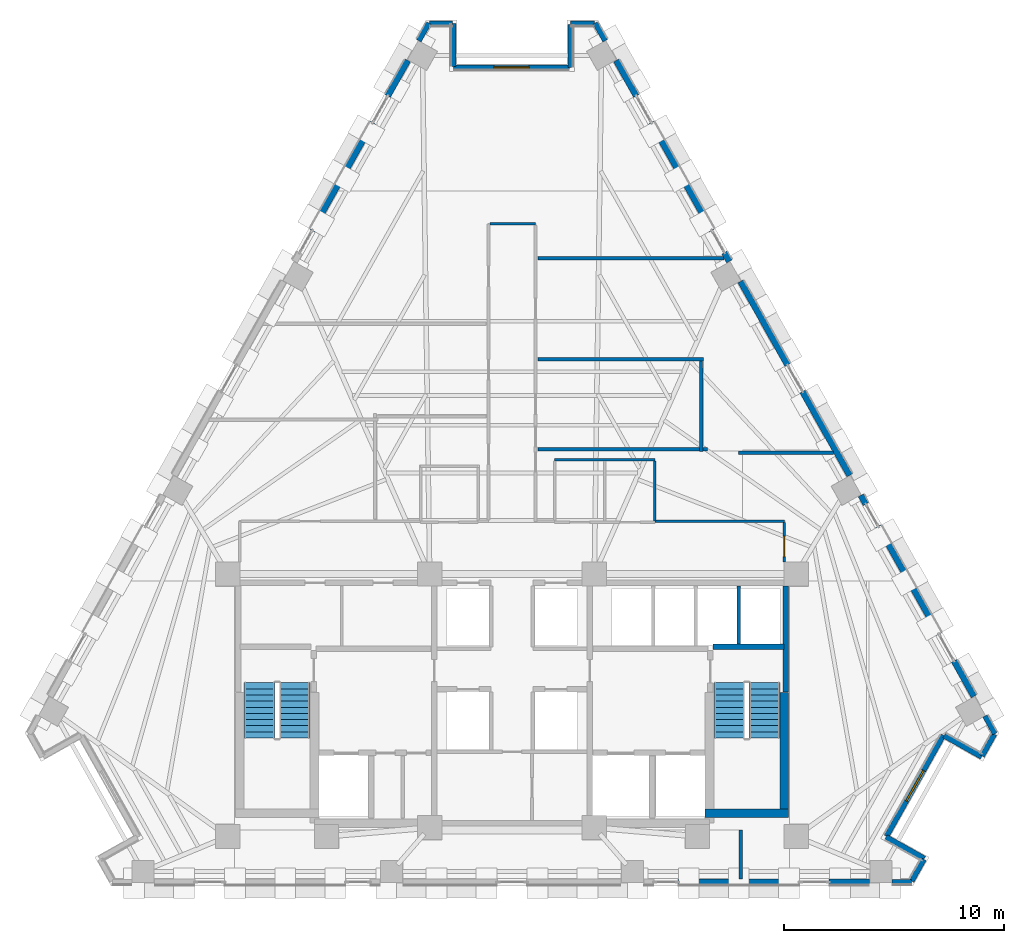
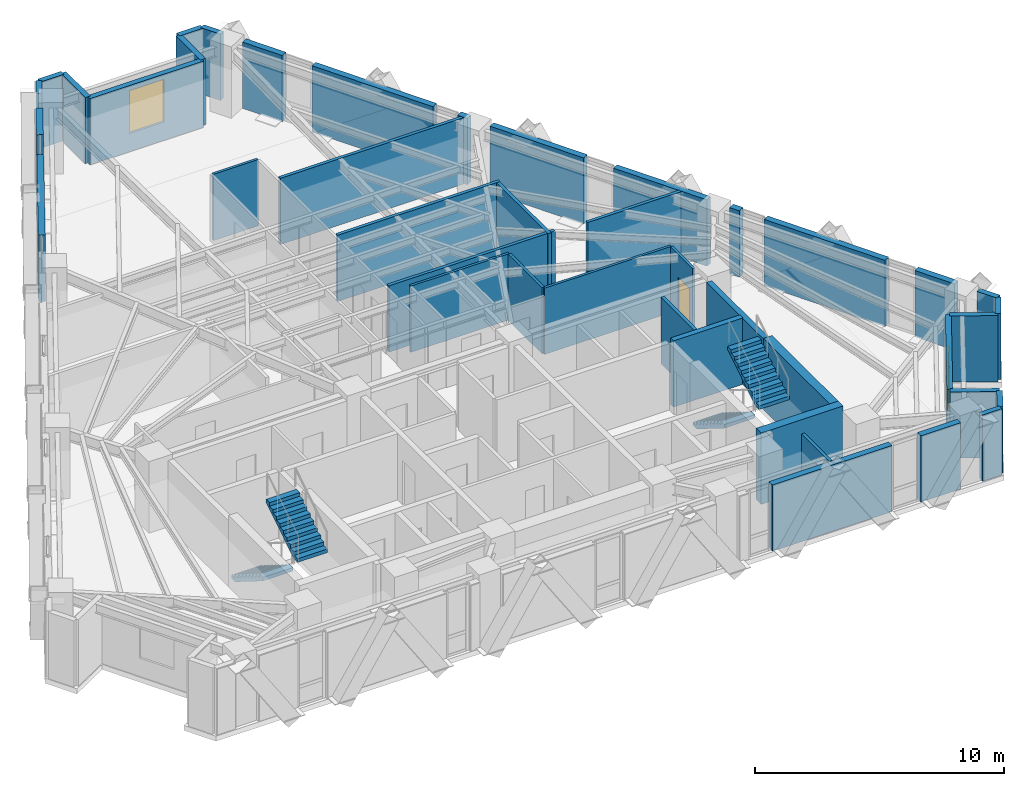
# One storey, part 9 of 13: 43 walls, 4 stair flights, 2 windows, 1 door, 3 openings, 2 elements without a shape of their own.
"""IFC4 building model written with IfcOpenShell, lengths in metres."""

from ifc_helpers import new_model, si_unit, direction, frame, frame_2d, origin, place, context, subcontext, project, spatial, polyline, rectangle, outline, extrude, material, layer, layer_set, type_object, element, fill, aggregate, save


model = new_model("IFC4")

# Units and contexts
model_context = context("Model", 3, precision=1e-05, world=origin(), true_north=direction((0.0, 1.0)))
body_context = subcontext(model_context, "Body", "Model", "MODEL_VIEW")
ifc_project = project(units=[si_unit("LENGTHUNIT", "METRE"), si_unit("AREAUNIT", "SQUARE_METRE"), si_unit("VOLUMEUNIT", "CUBIC_METRE"), si_unit("PLANEANGLEUNIT", "RADIAN"), si_unit("MASSUNIT", "GRAM", prefix="KILO")], contexts=[model_context])

# Site, building, storey
site_placement = place(None, origin())
site = spatial("IfcSite", under=ifc_project, at=site_placement, CompositionType="ELEMENT")
building_placement = place(site_placement, origin())
building = spatial("IfcBuilding", under=site, at=building_placement, Name="Quenlor Broadcast Tower", CompositionType="ELEMENT")
storey_placement = place(building_placement, frame((0.0, 0.0, 137.0)))
storey = spatial("IfcBuildingStorey", under=building, at=storey_placement, Name="L37", CompositionType="ELEMENT", Elevation=137.0)

# Walls
ifc_material_1 = material(Name="Acoustic Double Stud Gypsum Partition", Category="other")
ifc_layer_1 = layer(ifc_material_1, 0.14990234375)
ifc_layer_set_1 = layer_set([ifc_layer_1], Name="Broadcast Studio Acoustic Partition 150")
wall_type_1 = type_object("IfcWallType", Name="Broadcast Studio Acoustic Partition 150", PredefinedType="PARTITIONING", material=ifc_layer_set_1)
wall_1_placement = place(storey_placement, frame((9.66015625, 9.580078125, 0.0), z_axis=(0.0, 0.0, 1.0), x_axis=(-1.0, 0.0, 0.0)))
element("IfcWall", 1, at=wall_1_placement, inside=storey, type_object=wall_type_1, Name="L37 Interior Wall PW-DV-01", PredefinedType="PARTITIONING", context=body_context, shape_type="SweptSolid", body=[
    extrude(rectangle(XDim=8.480224609375, YDim=0.14990234375, at=frame_2d((4.240234375, 0.0))), origin(), (0.0, 0.0, 1.0), 3.25),
])
wall_2_placement = place(storey_placement, frame((8.713623046875, 4.97998046875, 0.0), z_axis=(0.0, 0.0, 1.0), x_axis=(-1.0, 0.0, 0.0)))
element("IfcWall", 2, at=wall_2_placement, inside=storey, type_object=wall_type_1, Name="L37 Interior Wall PW-DV-03", PredefinedType="PARTITIONING", context=body_context, shape_type="SweptSolid", body=[
    extrude(rectangle(XDim=7.53369140625, YDim=0.14990234375, at=frame_2d((3.766845703125, 0.0))), origin(), (0.0, 0.0, 1.0), 3.25),
])
wall_3_placement = place(storey_placement, frame((8.624755859375, 0.780029296875, 0.0), z_axis=(0.0, 0.0, 1.0), x_axis=(-0.002664604467, 0.999996449935, 0.0)))
element("IfcWall", 3, at=wall_3_placement, inside=storey, type_object=wall_type_1, Name="L37 Interior Wall PW-DV-04", PredefinedType="PARTITIONING", context=body_context, shape_type="SweptSolid", body=[
    extrude(rectangle(XDim=4.123046875, YDim=0.14990234375, at=frame_2d((2.0615234375, 0.0))), origin(), (0.0, 0.0, 1.0), 3.25),
])
wall_4_placement = place(storey_placement, frame((14.63818359375, 0.72998046875, 0.0), z_axis=(0.0, 0.0, 1.0), x_axis=(-1.0, 0.0, 0.0)))
element("IfcWall", 4, at=wall_4_placement, inside=storey, type_object=wall_type_1, Name="L37 Interior Wall PW-DV-05", PredefinedType="PARTITIONING", context=body_context, shape_type="SweptSolid", body=[
    extrude(rectangle(XDim=4.31298828125, YDim=0.14990234375, at=frame_2d((2.156494140625, 0.0))), origin(), (0.0, 0.0, 1.0), 3.25),
])
wall_5_placement = place(storey_placement, frame((8.89990234375, 0.8798828125, 0.0), z_axis=(0.0, 0.0, 1.0), x_axis=(-1.0, 0.0, 0.0)))
element("IfcWall", 5, at=wall_5_placement, inside=storey, type_object=wall_type_1, Name="L37 Interior Wall PW-DV-08", PredefinedType="PARTITIONING", context=body_context, shape_type="SweptSolid", body=[
    extrude(rectangle(XDim=0.198486328125, YDim=0.14990234375, at=frame_2d((0.09912109375, 0.0))), origin(), (0.0, 0.0, 1.0), 3.25),
])
wall_6_placement = place(storey_placement, frame((8.547607421875, 0.8798828125, 0.0), z_axis=(0.0, 0.0, 1.0), x_axis=(-1.0, 0.0, 0.0)))
element("IfcWall", 6, at=wall_6_placement, inside=storey, type_object=wall_type_1, Name="L37 Interior Wall PW-DV-08S2", PredefinedType="PARTITIONING", context=body_context, shape_type="SweptSolid", body=[
    extrude(rectangle(XDim=7.36767578125, YDim=0.14990234375, at=frame_2d((3.683837890625, 0.0))), origin(), (0.0, 0.0, 1.0), 3.25),
])
wall_7_placement = place(storey_placement, frame((10.42529296875, -18.68310546875, 0.0), z_axis=(0.0, 0.0, 1.0), x_axis=(0.0, 1.0, 0.0)))
element("IfcWall", 7, at=wall_7_placement, inside=storey, type_object=wall_type_1, Name="L37 Interior Wall PW-DV-10", PredefinedType="PARTITIONING", context=body_context, shape_type="SweptSolid", body=[
    extrude(rectangle(XDim=2.233154296875, YDim=0.14990234375, at=frame_2d((1.11669921875, 0.0))), origin(), (0.0, 0.0, 1.0), 3.25),
])
ifc_material_2 = material(Name="Concrete C50/60", Category="concrete")
ifc_layer_2 = layer(ifc_material_2, 0.39990234375)
ifc_layer_set_2 = layer_set([ifc_layer_2], Name="Core Concrete C50/60 Shear Wall 400")
wall_type_2 = type_object("IfcWallType", Name="Core Concrete C50/60 Shear Wall 400", PredefinedType="SHEAR", material=ifc_layer_set_2)
wall_8_placement = place(storey_placement, frame((8.800048828125, -15.699951171875, 0.0), z_axis=(0.0, 0.0, 1.0), x_axis=(1.0, 0.0, 0.0)))
element("IfcWall", 8, at=wall_8_placement, inside=storey, type_object=wall_type_2, Name="L37 Core Shear Wall WS-E2", PredefinedType="SHEAR", context=body_context, shape_type="SweptSolid", body=[
    extrude(rectangle(XDim=3.800048828125, YDim=0.39990234375, at=frame_2d((1.89990234375, 0.0))), origin(), (0.0, 0.0, 1.0), 3.5),
])
wall_9_placement = place(storey_placement, frame((12.39990234375, -15.699951171875, 0.0), z_axis=(0.0, 0.0, 1.0), x_axis=(0.0, 1.0, 0.0)))
element("IfcWall", 9, at=wall_9_placement, inside=storey, type_object=wall_type_2, Name="L37 Core Shear Wall WF-E", PredefinedType="SHEAR", context=body_context, shape_type="SweptSolid", body=[
    extrude(rectangle(XDim=5.5, YDim=0.39990234375, at=frame_2d((2.75, 0.0))), origin(), (0.0, 0.0, 1.0), 3.5),
])
ifc_material_3 = material(Name="Concrete C40/50", Category="concrete")
ifc_layer_3 = layer(ifc_material_3, 0.25)
ifc_layer_set_3 = layer_set([ifc_layer_3], Name="Fire Rated Concrete C40/50 Core Wall 250")
wall_type_3 = type_object("IfcWallType", Name="Fire Rated Concrete C40/50 Core Wall 250", PredefinedType="PARTITIONING", material=ifc_layer_set_3)
wall_10_placement = place(storey_placement, frame((9.159912109375, -8.1201171875, 0.0), z_axis=(0.0, 0.0, 1.0), x_axis=(1.0, 0.0, 0.0)))
element("IfcWall", 10, at=wall_10_placement, inside=storey, type_object=wall_type_3, Name="L37 Interior Wall CW-ST2-N", PredefinedType="PARTITIONING", context=body_context, shape_type="SweptSolid", body=[
    extrude(rectangle(XDim=3.219970703125, YDim=0.25, at=frame_2d((1.60986328125, 0.0))), origin(), (0.0, 0.0, 1.0), 3.25),
])
wall_11_placement = place(storey_placement, frame((12.47998046875, -10.179931640625, 0.0), z_axis=(0.0, 0.0, 1.0), x_axis=(0.0, 1.0, 0.0)))
element("IfcWall", 11, at=wall_11_placement, inside=storey, type_object=wall_type_3, Name="L37 Interior Wall CW-ST2-E2", PredefinedType="PARTITIONING", context=body_context, shape_type="SweptSolid", body=[
    extrude(rectangle(XDim=4.827880859375, YDim=0.25, at=frame_2d((2.4140625, 0.0))), origin(), (0.0, 0.0, 1.0), 3.25),
])
ifc_material_4 = material(Name="Gypsum Fireboard Partition", Category="other")
ifc_layer_4 = layer(ifc_material_4, 0.159912109375)
ifc_layer_set_4 = layer_set([ifc_layer_4], Name="Fire Rated Shaft and Corridor Partition 160")
wall_type_4 = type_object("IfcWallType", Name="Fire Rated Shaft and Corridor Partition 160", PredefinedType="PARTITIONING", material=ifc_layer_set_4)
wall_12_placement = place(storey_placement, frame((10.324951171875, -7.992919921875, 0.0), z_axis=(0.0, 0.0, 1.0), x_axis=(0.0, 1.0, 0.0)))
element("IfcWall", 12, at=wall_12_placement, inside=storey, type_object=wall_type_4, Name="L37 Interior Wall CW-PLH-D3", PredefinedType="PARTITIONING", context=body_context, shape_type="SweptSolid", body=[
    extrude(rectangle(XDim=2.65283203125, YDim=0.159912109375, at=frame_2d((1.326416015625, 0.0))), origin(), (0.0, 0.0, 1.0), 3.25),
])
ifc_material_5 = material(Name="Gypsum Plasterboard Partition", Category="other")
ifc_layer_5 = layer(ifc_material_5, 0.1201171875)
ifc_layer_set_5 = layer_set([ifc_layer_5], Name="Standard Office Partition 120")
wall_type_5 = type_object("IfcWallType", Name="Standard Office Partition 120", PredefinedType="PARTITIONING", material=ifc_layer_set_5)
wall_13_placement = place(storey_placement, frame((1.93994140625, 0.409912109375, 0.0), z_axis=(0.0, 0.0, 1.0), x_axis=(1.0, 0.0, 0.0)))
element("IfcWall", 13, at=wall_13_placement, inside=storey, type_object=wall_type_5, Name="L37 Interior Wall PW-WC-N", PredefinedType="PARTITIONING", context=body_context, shape_type="SweptSolid", body=[
    extrude(rectangle(XDim=4.570068359375, YDim=0.1201171875, at=frame_2d((2.28515625, 0.0))), origin(), (0.0, 0.0, 1.0), 3.25),
])
wall_14_placement = place(storey_placement, frame((6.510009765625, -2.3779296875, 0.0), z_axis=(0.0, 0.0, 1.0), x_axis=(0.0, 1.0, 0.0)))
element("IfcWall", 14, at=wall_14_placement, inside=storey, type_object=wall_type_5, Name="L37 Interior Wall PW-WC-E", PredefinedType="PARTITIONING", context=body_context, shape_type="SweptSolid", body=[
    extrude(rectangle(XDim=2.725830078125, YDim=0.1201171875, at=frame_2d((1.36279296875, 0.0))), origin(), (0.0, 0.0, 1.0), 3.25),
])
wall_15_placement = place(storey_placement, frame((-1.008056640625, 11.14990234375, 0.0), z_axis=(0.0, 0.0, 1.0), x_axis=(1.0, 0.0, 0.0)))
element("IfcWall", 15, at=wall_15_placement, inside=storey, type_object=wall_type_5, Name="L37 Interior Wall PW-CR-04", PredefinedType="PARTITIONING", context=body_context, shape_type="SweptSolid", body=[
    extrude(rectangle(XDim=2.078125, YDim=0.1201171875, at=frame_2d((1.0390625, 0.0))), origin(), (0.0, 0.0, 1.0), 3.25),
])
wall_16_placement = place(storey_placement, frame((6.511962890625, -2.39990234375, 0.0), z_axis=(0.0, 0.0, 1.0), x_axis=(1.0, 0.0, 0.0)))
element("IfcWall", 16, at=wall_16_placement, inside=storey, type_object=wall_type_5, Name="L37 Interior Wall PW-CR-06S2", PredefinedType="PARTITIONING", context=body_context, shape_type="SweptSolid", body=[
    extrude(rectangle(XDim=5.89794921875, YDim=0.1201171875, at=frame_2d((2.948974609375, 0.0))), origin(), (0.0, 0.0, 1.0), 3.25),
])

# Wall, opening, door
wall_17_placement = place(storey_placement, frame((12.409912109375, -2.4619140625, 0.0), z_axis=(0.0, 0.0, 1.0), x_axis=(0.0, -1.0, 0.0)))
wall_17 = element("IfcWall", 17, at=wall_17_placement, inside=storey, type_object=wall_type_5, Name="L37 Interior Wall PW-CR-07", PredefinedType="PARTITIONING", context=body_context, shape_type="SweptSolid", body=[
    extrude(rectangle(XDim=1.7861328125, YDim=0.1201171875, at=frame_2d((0.89306640625, 0.0))), origin(), (0.0, 0.0, 1.0), 3.25),
])
opening_1_placement = place(wall_17_placement, frame((0.623046875, 0.0, 0.0)))
opening_1 = element("IfcOpeningElement", 18, at=opening_1_placement, cuts=wall_17, Name="Opening ID-1", PredefinedType="OPENING", context=body_context, shape_type="SweptSolid", body=[
    extrude(rectangle(XDim=0.919921875, YDim=2.1201171875, at=frame_2d((0.4599609375, 1.06005859375))), frame((0.0, 0.070068359375, 0.0), z_axis=(0.0, -1.0, 0.0), x_axis=(1.0, 0.0, 0.0)), (0.0, 0.0, 1.0), 0.14013671875),
])
ifc_material_6 = material(Name="Solid Core Timber Oak", Category="wood")
door_type = type_object("IfcDoorType", Name="Single Leaf Timber Office Door 920x2120", OperationType="NOTDEFINED", PredefinedType="DOOR", material=ifc_material_6)
door_placement = place(opening_1_placement, origin())
door = element("IfcDoor", 19, at=door_placement, inside=storey, type_object=door_type, Name="L37 Door DR-RM07", OperationType="SINGLE_SWING_LEFT", OverallHeight=2.1201171875, OverallWidth=0.919921875, PredefinedType="DOOR", context=body_context, shape_type="SweptSolid", body=[
    extrude(rectangle(XDim=0.919921875, YDim=2.1201171875, at=frame_2d((0.4599609375, 1.06005859375))), frame((0.0, 0.02490234375, 0.0), z_axis=(0.0, -1.0, 0.0), x_axis=(1.0, 0.0, 0.0)), (0.0, 0.0, 1.0), 0.050048828125),
])
fill(opening_1, door)

# Walls
ifc_material_7 = material(Name="Precast concrete C40/50", Category="concrete")
ifc_layer_6 = layer(ifc_material_7, 0.239990234375)
ifc_layer_set_6 = layer_set([ifc_layer_6], Name="Terrace Threshold Precast Concrete C40/50 Wall 240")
wall_type_6 = type_object("IfcWallType", Name="Terrace Threshold Precast Concrete C40/50 Wall 240", PredefinedType="STANDARD", material=ifc_layer_set_6)
wall_18_placement = place(storey_placement, frame((18.2099609375, -18.824951171875, 0.0), z_axis=(0.0, 0.0, 1.0), x_axis=(-1.0, 0.0, 0.0)))
element("IfcWall", 20, at=wall_18_placement, inside=storey, type_object=wall_type_6, Name="L37 Exterior Wall L37-SHD-SS0", PredefinedType="STANDARD", context=body_context, shape_type="SweptSolid", body=[
    extrude(rectangle(XDim=0.896484375, YDim=0.239990234375, at=frame_2d((0.4482421875, 0.0))), origin(), (0.0, 0.0, 1.0), 3.25),
])
wall_19_placement = place(storey_placement, frame((3.7919921875, 20.302001953125, 0.0), z_axis=(0.0, 0.0, 1.0), x_axis=(0.490048346303, -0.871695255399, 0.0)))
element("IfcWall", 21, at=wall_19_placement, inside=storey, type_object=wall_type_6, Name="L37 Exterior Wall L37-SHD-NES0", PredefinedType="STANDARD", context=body_context, shape_type="SweptSolid", body=[
    extrude(rectangle(XDim=0.925537109375, YDim=0.239990234375, at=frame_2d((0.462890625, 0.0))), origin(), (0.0, 0.0, 1.0), 3.25),
])
wall_20_placement = place(storey_placement, frame((21.54931640625, -11.2666015625, 0.0), z_axis=(0.0, 0.0, 1.0), x_axis=(0.490248718924, -0.871582579905, 0.0)))
element("IfcWall", 22, at=wall_20_placement, inside=storey, type_object=wall_type_6, Name="L37 Exterior Wall L37-SHD-NES1", PredefinedType="STANDARD", context=body_context, shape_type="SweptSolid", body=[
    extrude(rectangle(XDim=0.92578125, YDim=0.239990234375, at=frame_2d((0.462890625, 0.0))), origin(), (0.0, 0.0, 1.0), 3.25),
])
wall_21_placement = place(storey_placement, frame((-4.24560546875, 19.4951171875, 0.0), z_axis=(0.0, 0.0, 1.0), x_axis=(0.490048346303, 0.871695255399, 0.0)))
element("IfcWall", 23, at=wall_21_placement, inside=storey, type_object=wall_type_6, Name="L37 Exterior Wall L37-SHD-NWS1", PredefinedType="STANDARD", context=body_context, shape_type="SweptSolid", body=[
    extrude(rectangle(XDim=0.925537109375, YDim=0.239990234375, at=frame_2d((0.462890625, 0.0))), origin(), (0.0, 0.0, 1.0), 3.25),
])
wall_22_placement = place(storey_placement, frame((18.783935546875, -17.760009765625, 0.0), z_axis=(0.0, 0.0, 1.0), x_axis=(-0.871536415941, 0.49033078191, 0.0)))
element("IfcWall", 24, at=wall_22_placement, inside=storey, type_object=wall_type_6, Name="L37 Exterior Wall L37-CNR-01", PredefinedType="STANDARD", context=body_context, shape_type="SweptSolid", body=[
    extrude(rectangle(XDim=2.0, YDim=0.239990234375, at=frame_2d((1.0, 0.0))), origin(), (0.0, 0.0, 1.0), 3.25),
])

# Wall, opening, window
wall_23_placement = place(storey_placement, frame((17.060302734375, -16.744384765625, 0.0), z_axis=(0.0, 0.0, 1.0), x_axis=(0.490276606961, 0.871566892824, 0.0)))
wall_23 = element("IfcWall", 25, at=wall_23_placement, inside=storey, type_object=wall_type_6, Name="L37 Exterior Wall L37-CNR-02", PredefinedType="STANDARD", context=body_context, shape_type="SweptSolid", body=[
    extrude(rectangle(XDim=5.280029296875, YDim=0.239990234375, at=frame_2d((2.64013671875, 0.0))), origin(), (0.0, 0.0, 1.0), 3.25),
])
opening_2_placement = place(wall_23_placement, frame((1.840087890625, 0.0, 0.89990234375)))
opening_2 = element("IfcOpeningElement", 26, at=opening_2_placement, cuts=wall_23, Name="Opening WN-2", PredefinedType="OPENING", context=body_context, shape_type="SweptSolid", body=[
    extrude(rectangle(XDim=1.60009765625, YDim=2.10009765625, at=frame_2d((0.800048828125, 1.050048828125))), frame((0.0, 0.1298828125, 0.0), z_axis=(0.0, -1.0, 0.0), x_axis=(1.0, 0.0, 0.0)), (0.0, 0.0, 1.0), 0.260009765625),
])
ifc_material_8 = material(Name="Thermally Broken Aluminium and Low-E Glass", Category="aluminium")
window_type = type_object("IfcWindowType", Name="Tower Studio Punched Window 1600x2100", PartitioningType="SINGLE_PANEL", PredefinedType="WINDOW", material=ifc_material_8)
window_1_placement = place(opening_2_placement, origin())
window_1 = element("IfcWindow", 27, at=window_1_placement, inside=storey, type_object=window_type, Name="L37 Corner Chamfer Window 2", OverallHeight=2.10009765625, OverallWidth=1.60009765625, PartitioningType="SINGLE_PANEL", PredefinedType="WINDOW", context=body_context, shape_type="SweptSolid", body=[
    extrude(rectangle(XDim=1.60009765625, YDim=2.10009765625, at=frame_2d((0.800048828125, 1.050048828125))), frame((0.0, 0.030029296875, 0.0), z_axis=(0.0, -1.0, 0.0), x_axis=(1.0, 0.0, 0.0)), (0.0, 0.0, 1.0), 0.06005859375),
])
fill(opening_2, window_1)

# Walls
wall_24_placement = place(storey_placement, frame((19.683837890625, -12.162109375, 0.0), z_axis=(0.0, 0.0, 1.0), x_axis=(0.871512328312, -0.490373593906, 0.0)))
element("IfcWall", 28, at=wall_24_placement, inside=storey, type_object=wall_type_6, Name="L37 Exterior Wall L37-CNR-03", PredefinedType="STANDARD", context=body_context, shape_type="SweptSolid", body=[
    extrude(rectangle(XDim=1.960205078125, YDim=0.239990234375, at=frame_2d((0.97998046875, 0.0))), origin(), (0.0, 0.0, 1.0), 3.25),
])
wall_25_placement = place(storey_placement, frame((21.411865234375, -13.08837890625, 0.0), z_axis=(0.0, 0.0, 1.0), x_axis=(0.4900989379, 0.871666811958, 0.0)))
element("IfcWall", 29, at=wall_25_placement, inside=storey, type_object=wall_type_6, Name="L37 Exterior Wall L37-CNR-04", PredefinedType="STANDARD", context=body_context, shape_type="SweptSolid", body=[
    extrude(rectangle(XDim=1.142822265625, YDim=0.239990234375, at=frame_2d((0.5712890625, 0.0))), origin(), (0.0, 0.0, 1.0), 3.25),
])
wall_26_placement = place(storey_placement, frame((3.761474609375, 20.280029296875, 0.0), z_axis=(0.0, 0.0, 1.0), x_axis=(-1.0, 0.0, 0.0)))
element("IfcWall", 30, at=wall_26_placement, inside=storey, type_object=wall_type_6, Name="L37 Exterior Wall L37-CNR-06", PredefinedType="STANDARD", context=body_context, shape_type="SweptSolid", body=[
    extrude(rectangle(XDim=1.1015625, YDim=0.239990234375, at=frame_2d((0.55078125, 0.0))), origin(), (0.0, 0.0, 1.0), 3.25),
])
wall_27_placement = place(storey_placement, frame((2.659912109375, 20.239990234375, 0.0), z_axis=(0.0, 0.0, 1.0), x_axis=(0.0, -1.0, 0.0)))
element("IfcWall", 31, at=wall_27_placement, inside=storey, type_object=wall_type_6, Name="L37 Exterior Wall L37-CNR-07", PredefinedType="STANDARD", context=body_context, shape_type="SweptSolid", body=[
    extrude(rectangle(XDim=1.9599609375, YDim=0.239990234375, at=frame_2d((0.97998046875, 0.0))), origin(), (0.0, 0.0, 1.0), 3.25),
])

# Wall, opening, window
wall_28_placement = place(storey_placement, frame((2.6201171875, 18.280029296875, 0.0), z_axis=(0.0, 0.0, 1.0), x_axis=(-1.0, 0.0, 0.0)))
wall_28 = element("IfcWall", 32, at=wall_28_placement, inside=storey, type_object=wall_type_6, Name="L37 Exterior Wall L37-CNR-08", PredefinedType="STANDARD", context=body_context, shape_type="SweptSolid", body=[
    extrude(rectangle(XDim=5.280029296875, YDim=0.239990234375, at=frame_2d((2.64013671875, 0.0))), origin(), (0.0, 0.0, 1.0), 3.25),
])
opening_3_placement = place(wall_28_placement, frame((1.840087890625, 0.0, 0.89990234375)))
opening_3 = element("IfcOpeningElement", 33, at=opening_3_placement, cuts=wall_28, Name="Opening WN-2", PredefinedType="OPENING", context=body_context, shape_type="SweptSolid", body=[
    extrude(rectangle(XDim=1.60009765625, YDim=2.10009765625, at=frame_2d((0.800048828125, 1.050048828125))), frame((0.0, 0.1298828125, 0.0), z_axis=(0.0, -1.0, 0.0), x_axis=(1.0, 0.0, 0.0)), (0.0, 0.0, 1.0), 0.260009765625),
])
window_2_placement = place(opening_3_placement, origin())
window_2 = element("IfcWindow", 34, at=window_2_placement, inside=storey, type_object=window_type, Name="L37 Corner Chamfer Window 8", OverallHeight=2.10009765625, OverallWidth=1.60009765625, PartitioningType="SINGLE_PANEL", PredefinedType="WINDOW", context=body_context, shape_type="SweptSolid", body=[
    extrude(rectangle(XDim=1.60009765625, YDim=2.10009765625, at=frame_2d((0.800048828125, 1.050048828125))), frame((0.0, 0.030029296875, 0.0), z_axis=(0.0, -1.0, 0.0), x_axis=(1.0, 0.0, 0.0)), (0.0, 0.0, 1.0), 0.06005859375),
])
fill(opening_3, window_2)

# Walls
wall_29_placement = place(storey_placement, frame((-2.659912109375, 18.320068359375, 0.0), z_axis=(0.0, 0.0, 1.0), x_axis=(0.0, 1.0, 0.0)))
element("IfcWall", 35, at=wall_29_placement, inside=storey, type_object=wall_type_6, Name="L37 Exterior Wall L37-CNR-09", PredefinedType="STANDARD", context=body_context, shape_type="SweptSolid", body=[
    extrude(rectangle(XDim=1.9599609375, YDim=0.239990234375, at=frame_2d((0.97998046875, 0.0))), origin(), (0.0, 0.0, 1.0), 3.25),
])
wall_30_placement = place(storey_placement, frame((-2.699951171875, 20.280029296875, 0.0), z_axis=(0.0, 0.0, 1.0), x_axis=(-1.0, 0.0, 0.0)))
element("IfcWall", 36, at=wall_30_placement, inside=storey, type_object=wall_type_6, Name="L37 Exterior Wall L37-CNR-10", PredefinedType="STANDARD", context=body_context, shape_type="SweptSolid", body=[
    extrude(rectangle(XDim=1.0615234375, YDim=0.239990234375, at=frame_2d((0.53076171875, 0.0))), origin(), (0.0, 0.0, 1.0), 3.25),
])
wall_31_placement = place(storey_placement, frame((18.205810546875, -18.78759765625, 0.0), z_axis=(0.0, 0.0, 1.0), x_axis=(0.490403700594, 0.871495387506, 0.0)))
element("IfcWall", 37, at=wall_31_placement, inside=storey, type_object=wall_type_6, Name="L37 Exterior Wall L37-CNR-18", PredefinedType="STANDARD", context=body_context, shape_type="SweptSolid", body=[
    extrude(rectangle(XDim=1.13916015625, YDim=0.239990234375, at=frame_2d((0.569580078125, 0.0))), origin(), (0.0, 0.0, 1.0), 3.25),
])
ifc_material_9 = material(Name="Precast concrete C40/50", Category="concrete")
ifc_layer_7 = layer(ifc_material_9, 0.280029296875)
ifc_layer_set_7 = layer_set([ifc_layer_7], Name="Terracotta Precast Concrete C40/50 Facade Wall 280")
wall_type_7 = type_object("IfcWallType", Name="Terracotta Precast Concrete C40/50 Facade Wall 280", PredefinedType="STANDARD", material=ifc_layer_set_7)
wall_32_placement = place(storey_placement, frame((16.283447265625, -18.824951171875, 0.0), z_axis=(0.0, 0.0, 1.0), x_axis=(-1.0, 0.0, 0.0)))
element("IfcWall", 38, at=wall_32_placement, inside=storey, type_object=wall_type_7, Name="L37 Exterior Wall L37-SA-SP1", PredefinedType="STANDARD", context=body_context, shape_type="SweptSolid", body=[
    extrude(rectangle(XDim=1.83837890625, YDim=0.280029296875, at=frame_2d((0.919189453125, 0.0))), origin(), (0.0, 0.0, 1.0), 3.25),
])
wall_33_placement = place(storey_placement, frame((13.10693359375, -18.824951171875, 0.0), z_axis=(0.0, 0.0, 1.0), x_axis=(-1.0, 0.0, 0.0)))
element("IfcWall", 39, at=wall_33_placement, inside=storey, type_object=wall_type_7, Name="L37 Exterior Wall L37-SA-SP2", PredefinedType="STANDARD", context=body_context, shape_type="SweptSolid", body=[
    extrude(rectangle(XDim=5.550048828125, YDim=0.280029296875, at=frame_2d((2.77490234375, 0.0))), origin(), (0.0, 0.0, 1.0), 3.25),
])
wall_34_placement = place(storey_placement, frame((4.750732421875, 18.597412109375, 0.0), z_axis=(0.0, 0.0, 1.0), x_axis=(0.490248749158, -0.871582562899, 0.0)))
element("IfcWall", 40, at=wall_34_placement, inside=storey, type_object=wall_type_7, Name="L37 Exterior Wall L37-NEA-SP1", PredefinedType="STANDARD", context=body_context, shape_type="SweptSolid", body=[
    extrude(rectangle(XDim=1.85595703125, YDim=0.280029296875, at=frame_2d((0.927978515625, 0.0))), origin(), (0.0, 0.0, 1.0), 3.25),
])
wall_35_placement = place(storey_placement, frame((6.342041015625, 15.768310546875, 0.0), z_axis=(0.0, 0.0, 1.0), x_axis=(0.490289995219, -0.871559361483, 0.0)))
element("IfcWall", 41, at=wall_35_placement, inside=storey, type_object=wall_type_7, Name="L37 Exterior Wall L37-NEA-SP2", PredefinedType="STANDARD", context=body_context, shape_type="SweptSolid", body=[
    extrude(rectangle(XDim=5.643310546875, YDim=0.280029296875, at=frame_2d((2.82177734375, 0.0))), origin(), (0.0, 0.0, 1.0), 3.25),
])
for number, where, z_axis, x_axis, name in (
    (42, (9.674072265625, 9.8447265625, 0.0), (0.0, 0.0, 1.0), (0.490412424957, -0.871490478116, 0.0), "L37 Exterior Wall L37-NEA-SP3"),
    (43, (15.8955078125, -1.21533203125, 0.0), (0.0, 0.0, 1.0), (0.490009165718, -0.871717280724, 0.0), "L37 Exterior Wall L37-NEC-SP1"),
):
    element("IfcWall", number, at=place(storey_placement, frame(where, z_axis=z_axis, x_axis=x_axis)), inside=storey, type_object=wall_type_7, Name=name, PredefinedType="STANDARD", context=body_context, shape_type="SweptSolid", body=[
        extrude(rectangle(XDim=0.4599609375, YDim=0.280029296875, at=frame_2d((0.22998046875, 0.0))), origin(), (0.0, 0.0, 1.0), 3.25),
    ])
wall_36_placement = place(storey_placement, frame((16.686279296875, -2.621337890625, 0.0), z_axis=(0.0, 0.0, 1.0), x_axis=(0.490238645956, -0.871588245682, 0.0)))
element("IfcWall", 44, at=wall_36_placement, inside=storey, type_object=wall_type_7, Name="L37 Exterior Wall L37-NEC-SP2", PredefinedType="STANDARD", context=body_context, shape_type="SweptSolid", body=[
    extrude(rectangle(XDim=5.643310546875, YDim=0.280029296875, at=frame_2d((2.82177734375, 0.0))), origin(), (0.0, 0.0, 1.0), 3.25),
])
wall_37_placement = place(storey_placement, frame((20.13427734375, -8.751220703125, 0.0), z_axis=(0.0, 0.0, 1.0), x_axis=(0.490248749158, -0.871582562899, 0.0)))
element("IfcWall", 45, at=wall_37_placement, inside=storey, type_object=wall_type_7, Name="L37 Exterior Wall L37-NEC-SP3", PredefinedType="STANDARD", context=body_context, shape_type="SweptSolid", body=[
    extrude(rectangle(XDim=1.85595703125, YDim=0.280029296875, at=frame_2d((0.927978515625, 0.0))), origin(), (0.0, 0.0, 1.0), 3.25),
])
wall_38_placement = place(storey_placement, frame((10.411865234375, 8.532958984375, 0.0), z_axis=(0.0, 0.0, 1.0), x_axis=(0.490274486291, -0.871568085747, 0.0)))
element("IfcWall", 46, at=wall_38_placement, inside=storey, type_object=wall_type_7, Name="L37 Exterior Wall L37-NE-SP1", PredefinedType="STANDARD", context=body_context, shape_type="SweptSolid", body=[
    extrude(rectangle(XDim=4.375244140625, YDim=0.280029296875, at=frame_2d((2.1875, 0.0))), origin(), (0.0, 0.0, 1.0), 3.25),
])
wall_39_placement = place(storey_placement, frame((13.23828125, 3.508544921875, 0.0), z_axis=(0.0, 0.0, 1.0), x_axis=(0.490232095789, -0.871591929895, 0.0)))
element("IfcWall", 47, at=wall_39_placement, inside=storey, type_object=wall_type_7, Name="L37 Exterior Wall L37-NE-SP2", PredefinedType="STANDARD", context=body_context, shape_type="SweptSolid", body=[
    extrude(rectangle(XDim=4.375, YDim=0.280029296875, at=frame_2d((2.1875, 0.0))), origin(), (0.0, 0.0, 1.0), 3.25),
])
wall_40_placement = place(storey_placement, frame((-9.10888671875, 10.849853515625, 0.0), z_axis=(0.0, 0.0, 1.0), x_axis=(0.490289995219, 0.871559361483, 0.0)))
element("IfcWall", 48, at=wall_40_placement, inside=storey, type_object=wall_type_7, Name="L37 Exterior Wall L37-NWC-SP2", PredefinedType="STANDARD", context=body_context, shape_type="SweptSolid", body=[
    extrude(rectangle(XDim=5.643310546875, YDim=0.280029296875, at=frame_2d((2.82177734375, 0.0))), origin(), (0.0, 0.0, 1.0), 3.25),
])
wall_41_placement = place(storey_placement, frame((-5.66064453125, 16.979736328125, 0.0), z_axis=(0.0, 0.0, 1.0), x_axis=(0.490248749158, 0.871582562899, 0.0)))
element("IfcWall", 49, at=wall_41_placement, inside=storey, type_object=wall_type_7, Name="L37 Exterior Wall L37-NWC-SP3", PredefinedType="STANDARD", context=body_context, shape_type="SweptSolid", body=[
    extrude(rectangle(XDim=1.85595703125, YDim=0.280029296875, at=frame_2d((0.927978515625, 0.0))), origin(), (0.0, 0.0, 1.0), 3.25),
])

# Stair, stair flights
ifc_material_10 = material(Name="Precast concrete C40/50", Category="concrete")
stair_type = type_object("IfcStairType", Name="Precast Concrete C40/50 Dogleg Stair H350", PredefinedType="HALF_TURN_STAIR", material=ifc_material_10)
stair_1_placement = place(storey_placement, origin())
stair_1 = element("IfcStair", 50, at=stair_1_placement, inside=storey, type_object=stair_type, Name="L37 West Core Fire-Isolated Exit Stair ST-1", PredefinedType="HALF_TURN_STAIR")
ifc_material_11 = material(Name="Precast concrete C40/50", Category="concrete")
ifc_layer_8 = layer(ifc_material_11, 0.159912109375)
ifc_layer_set_8 = layer_set([ifc_layer_8], Name="Precast Concrete C40/50 Stair Flight H350")
stair_flight_type = type_object("IfcStairFlightType", Name="Precast Concrete C40/50 Stair Flight H350", PredefinedType="STRAIGHT", material=ifc_layer_set_8)
stair_flight_1_placement = place(storey_placement, frame((-11.5, -9.75, 0.0), z_axis=(0.0, 0.0, 1.0), x_axis=(0.0, -1.0, 0.0)))
stair_flight_1 = element("IfcStairFlight", 51, at=stair_flight_1_placement, type_object=stair_flight_type, Name="ST-1 flight 1", NumberOfRisers=10, NumberOfTreads=9, PredefinedType="STRAIGHT", RiserHeight=0.175, TreadLength=0.28, context=body_context, shape_type="SweptSolid", body=[
    extrude(outline(polyline([(0.0, 0.0), (0.0, 0.175048828125), (0.280029296875, 0.175048828125), (0.280029296875, 0.35009765625), (0.56005859375, 0.35009765625), (0.56005859375, 0.52490234375), (0.840087890625, 0.52490234375), (0.840087890625, 0.699951171875), (1.1201171875, 0.699951171875), (1.1201171875, 0.875), (1.39990234375, 0.875), (1.39990234375, 1.050048828125), (1.679931640625, 1.050048828125), (1.679931640625, 1.22509765625), (1.9599609375, 1.22509765625), (1.9599609375, 1.39990234375), (2.239990234375, 1.39990234375), (2.239990234375, 1.574951171875), (2.52001953125, 1.574951171875), (2.52001953125, 1.75), (2.52001953125, 1.398193359375), (0.28271484375, 0.0), (0.0, 0.0)])), frame((0.0, 0.699951171875, 0.0), z_axis=(0.0, -1.0, 0.0), x_axis=(1.0, 0.0, 0.0)), (0.0, 0.0, 1.0), 1.39990234375),
])
stair_flight_2_placement = place(storey_placement, frame((-9.89990234375, -12.27001953125, 1.75), z_axis=(0.0, 0.0, 1.0), x_axis=(0.0, 1.0, 0.0)))
stair_flight_2 = element("IfcStairFlight", 52, at=stair_flight_2_placement, type_object=stair_flight_type, Name="ST-1 flight 2", NumberOfRisers=10, NumberOfTreads=9, PredefinedType="STRAIGHT", RiserHeight=0.175, TreadLength=0.28, context=body_context, shape_type="SweptSolid", body=[
    extrude(outline(polyline([(0.0, 0.0), (0.0, 0.175048828125), (0.280029296875, 0.175048828125), (0.280029296875, 0.35009765625), (0.56005859375, 0.35009765625), (0.56005859375, 0.52490234375), (0.840087890625, 0.52490234375), (0.840087890625, 0.699951171875), (1.1201171875, 0.699951171875), (1.1201171875, 0.875), (1.39990234375, 0.875), (1.39990234375, 1.050048828125), (1.679931640625, 1.050048828125), (1.679931640625, 1.22509765625), (1.9599609375, 1.22509765625), (1.9599609375, 1.39990234375), (2.239990234375, 1.39990234375), (2.239990234375, 1.574951171875), (2.52001953125, 1.574951171875), (2.52001953125, 1.75), (2.52001953125, 1.398193359375), (0.28271484375, 0.0), (0.0, 0.0)])), frame((0.0, 0.699951171875, 0.0), z_axis=(0.0, -1.0, 0.0), x_axis=(1.0, 0.0, 0.0)), (0.0, 0.0, 1.0), 1.39990234375),
])
aggregate(stair_1, [stair_flight_1, stair_flight_2])

stair_2_placement = place(storey_placement, origin())
stair_2 = element("IfcStair", 53, at=stair_2_placement, inside=storey, type_object=stair_type, Name="L37 East Core Fire-Isolated Exit Stair ST-2", PredefinedType="HALF_TURN_STAIR")
stair_flight_3_placement = place(storey_placement, frame((9.89990234375, -9.75, 0.0), z_axis=(0.0, 0.0, 1.0), x_axis=(0.0, -1.0, 0.0)))
stair_flight_3 = element("IfcStairFlight", 54, at=stair_flight_3_placement, type_object=stair_flight_type, Name="ST-2 flight 1", NumberOfRisers=10, NumberOfTreads=9, PredefinedType="STRAIGHT", RiserHeight=0.175, TreadLength=0.28, context=body_context, shape_type="SweptSolid", body=[
    extrude(outline(polyline([(0.0, 0.0), (0.0, 0.175048828125), (0.280029296875, 0.175048828125), (0.280029296875, 0.35009765625), (0.56005859375, 0.35009765625), (0.56005859375, 0.52490234375), (0.840087890625, 0.52490234375), (0.840087890625, 0.699951171875), (1.1201171875, 0.699951171875), (1.1201171875, 0.875), (1.39990234375, 0.875), (1.39990234375, 1.050048828125), (1.679931640625, 1.050048828125), (1.679931640625, 1.22509765625), (1.9599609375, 1.22509765625), (1.9599609375, 1.39990234375), (2.239990234375, 1.39990234375), (2.239990234375, 1.574951171875), (2.52001953125, 1.574951171875), (2.52001953125, 1.75), (2.52001953125, 1.398193359375), (0.28271484375, 0.0), (0.0, 0.0)])), frame((0.0, 0.699951171875, 0.0), z_axis=(0.0, -1.0, 0.0), x_axis=(1.0, 0.0, 0.0)), (0.0, 0.0, 1.0), 1.39990234375),
])
stair_flight_4_placement = place(storey_placement, frame((11.5, -12.27001953125, 1.75), z_axis=(0.0, 0.0, 1.0), x_axis=(0.0, 1.0, 0.0)))
stair_flight_4 = element("IfcStairFlight", 55, at=stair_flight_4_placement, type_object=stair_flight_type, Name="ST-2 flight 2", NumberOfRisers=10, NumberOfTreads=9, PredefinedType="STRAIGHT", RiserHeight=0.175, TreadLength=0.28, context=body_context, shape_type="SweptSolid", body=[
    extrude(outline(polyline([(0.0, 0.0), (0.0, 0.175048828125), (0.280029296875, 0.175048828125), (0.280029296875, 0.35009765625), (0.56005859375, 0.35009765625), (0.56005859375, 0.52490234375), (0.840087890625, 0.52490234375), (0.840087890625, 0.699951171875), (1.1201171875, 0.699951171875), (1.1201171875, 0.875), (1.39990234375, 0.875), (1.39990234375, 1.050048828125), (1.679931640625, 1.050048828125), (1.679931640625, 1.22509765625), (1.9599609375, 1.22509765625), (1.9599609375, 1.39990234375), (2.239990234375, 1.39990234375), (2.239990234375, 1.574951171875), (2.52001953125, 1.574951171875), (2.52001953125, 1.75), (2.52001953125, 1.398193359375), (0.28271484375, 0.0), (0.0, 0.0)])), frame((0.0, 0.699951171875, 0.0), z_axis=(0.0, -1.0, 0.0), x_axis=(1.0, 0.0, 0.0)), (0.0, 0.0, 1.0), 1.39990234375),
])
aggregate(stair_2, [stair_flight_3, stair_flight_4])

save(model, "model.ifc")
